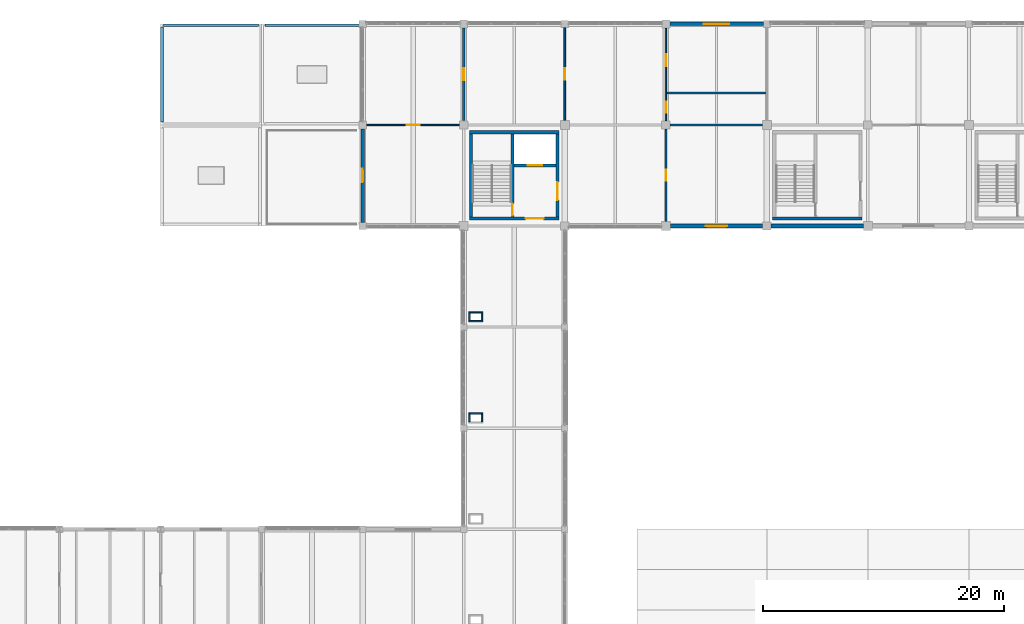
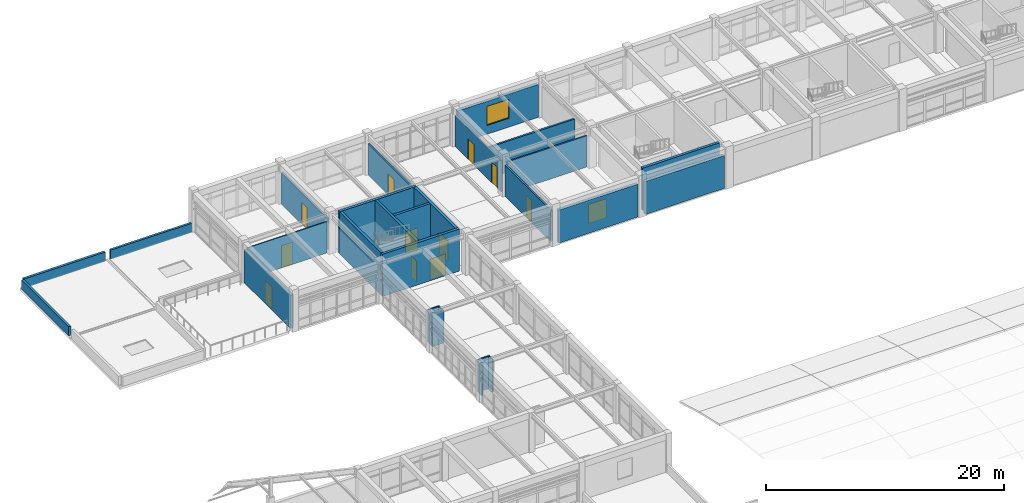
# One storey, part 34 of 40: 28 walls, 11 doors, 2 windows, 13 openings.
"""IFC4 building model written with IfcOpenShell, lengths in metres."""

from ifc_helpers import new_model, si_unit, direction, frame, frame_2d, origin, place, context, subcontext, project, spatial, rectangle, extrude, material, layer, layer_set, type_object, element, fill, save


model = new_model("IFC4")

# Units and contexts
model_context = context("Model", 3, precision=1e-05, world=origin(), true_north=direction((0.0, 1.0)))
body_context = subcontext(model_context, "Body", "Model", "MODEL_VIEW")
ifc_project = project(units=[si_unit("LENGTHUNIT", "METRE"), si_unit("AREAUNIT", "SQUARE_METRE"), si_unit("VOLUMEUNIT", "CUBIC_METRE"), si_unit("PLANEANGLEUNIT", "RADIAN"), si_unit("MASSUNIT", "GRAM", prefix="KILO")], contexts=[model_context])

# Site, building, storey
site_placement = place(None, origin())
site = spatial("IfcSite", under=ifc_project, at=site_placement, CompositionType="ELEMENT")
building_placement = place(site_placement, origin())
building = spatial("IfcBuilding", under=site, at=building_placement, Name="Porcellanite Civic Hall", CompositionType="ELEMENT")
storey_placement = place(building_placement, frame((0.0, 0.0, 19.080078125)))
storey = spatial("IfcBuildingStorey", under=building, at=storey_placement, Name="L04", CompositionType="ELEMENT", Elevation=19.080078125)

# Wall, opening, door
ifc_material_1 = material(Name="Concrete N40 (40 MPa)", Category="concrete")
ifc_layer_1 = layer(ifc_material_1, 0.239990234375)
ifc_layer_set_1 = layer_set([ifc_layer_1], Name="Concrete N40 (40 MPa)")
wall_type_1 = type_object("IfcWallType", Name="CW-SH240", PredefinedType="SHEAR", material=ifc_layer_set_1)
wall_1_placement = place(storey_placement, frame((54.43994140625, 101.5400390625, 0.0), z_axis=(0.0, 0.0, 1.0), x_axis=(0.0, 1.0, 0.0)))
wall_1 = element("IfcWall", 1, at=wall_1_placement, inside=storey, type_object=wall_type_1, Name="Core divider C3 L04", PredefinedType="SHEAR", context=body_context, shape_type="SweptSolid", body=[
    extrude(rectangle(XDim=6.919921875, YDim=0.239990234375, at=frame_2d((3.4599609375, 0.0))), origin(), (0.0, 0.0, 1.0), 4.31982421875),
])
opening_1_placement = place(wall_1_placement, frame((0.1201171875, 0.0, 0.0)))
opening_1 = element("IfcOpeningElement", 2, at=opening_1_placement, cuts=wall_1, Name="Opening FD-C3-L04-ST", PredefinedType="OPENING", context=body_context, shape_type="SweptSolid", body=[
    extrude(rectangle(XDim=1.0, YDim=2.14990234375, at=frame_2d((0.5, 1.074951171875))), frame((0.0, 0.1201171875, 0.0), z_axis=(0.0, -1.0, 0.0), x_axis=(1.0, 0.0, 0.0)), (0.0, 0.0, 1.0), 0.239990234375),
])
ifc_material_2 = material(Name="Fire-rated solid-core hardwood timber", Category="wood")
door_type_1 = type_object("IfcDoorType", Name="DR-FD100", OperationType="NOTDEFINED", PredefinedType="DOOR", material=ifc_material_2)
door_1_placement = place(opening_1_placement, origin())
door_1 = element("IfcDoor", 3, at=door_1_placement, inside=storey, type_object=door_type_1, Name="Fire stair door FD-C3-L04-ST", OperationType="SINGLE_SWING_RIGHT", OverallHeight=2.14990234375, OverallWidth=1.0, PredefinedType="DOOR", context=body_context, shape_type="SweptSolid", body=[
    extrude(rectangle(XDim=1.0, YDim=2.14990234375, at=frame_2d((0.5, 1.074951171875))), frame((0.0, 0.02490234375, 0.0), z_axis=(0.0, -1.0, 0.0), x_axis=(1.0, 0.0, 0.0)), (0.0, 0.0, 1.0), 0.050048828125),
])
fill(opening_1, door_1)

wall_2_placement = place(storey_placement, frame((54.56005859375, 105.820068359375, 0.0), z_axis=(0.0, 0.0, 1.0), x_axis=(1.0, 0.0, 0.0)))
wall_2 = element("IfcWall", 4, at=wall_2_placement, inside=storey, type_object=wall_type_1, Name="Lift shaft wall C3 L04", PredefinedType="SHEAR", context=body_context, shape_type="SweptSolid", body=[
    extrude(rectangle(XDim=3.5, YDim=0.239990234375, at=frame_2d((1.75, 0.0))), origin(), (0.0, 0.0, 1.0), 4.31982421875),
])
opening_2_placement = place(wall_2_placement, frame((1.14990234375, 0.0, 0.0)))
opening_2 = element("IfcOpeningElement", 5, at=opening_2_placement, cuts=wall_2, Name="Opening LD-01", PredefinedType="OPENING", context=body_context, shape_type="SweptSolid", body=[
    extrude(rectangle(XDim=1.199951171875, YDim=2.199951171875, at=frame_2d((0.60009765625, 1.10009765625))), frame((0.0, 0.1201171875, 0.0), z_axis=(0.0, -1.0, 0.0), x_axis=(1.0, 0.0, 0.0)), (0.0, 0.0, 1.0), 0.239990234375),
])
ifc_material_3 = material(Name="Brushed stainless steel 316", Category="steel")
door_type_2 = type_object("IfcDoorType", Name="DR-LD120", OperationType="DOUBLE_DOOR_SLIDING", PredefinedType="DOOR", material=ifc_material_3)
door_2_placement = place(opening_2_placement, origin())
door_2 = element("IfcDoor", 6, at=door_2_placement, inside=storey, type_object=door_type_2, Name="Lift landing sliding door LD-01 L04", OperationType="DOUBLE_DOOR_SLIDING", OverallHeight=2.199951171875, OverallWidth=1.199951171875, PredefinedType="DOOR", context=body_context, shape_type="SweptSolid", body=[
    extrude(rectangle(XDim=1.199951171875, YDim=2.199951171875, at=frame_2d((0.60009765625, 1.10009765625))), frame((0.0, 0.02490234375, 0.0), z_axis=(0.0, -1.0, 0.0), x_axis=(1.0, 0.0, 0.0)), (0.0, 0.0, 1.0), 0.050048828125),
])
fill(opening_2, door_2)

ifc_material_4 = material(Name="Concrete N40 (40 MPa)", Category="concrete")
ifc_layer_2 = layer(ifc_material_4, 0.260009765625)
ifc_layer_set_2 = layer_set([ifc_layer_2], Name="Concrete N40 (40 MPa)")
wall_type_2 = type_object("IfcWallType", Name="CW-SH260", PredefinedType="SHEAR", material=ifc_layer_set_2)
wall_3_placement = place(storey_placement, frame((58.320068359375, 101.409912109375, 0.0), z_axis=(0.0, 0.0, 1.0), x_axis=(-1.0, 0.0, 0.0)))
wall_3 = element("IfcWall", 7, at=wall_3_placement, inside=storey, type_object=wall_type_2, Name="Core wall C3 L04 S", PredefinedType="SHEAR", context=body_context, shape_type="SweptSolid", body=[
    extrude(rectangle(XDim=7.440185546875, YDim=0.260009765625, at=frame_2d((3.72021484375, 0.0))), origin(), (0.0, 0.0, 1.0), 4.31982421875),
])
opening_3_placement = place(wall_3_placement, frame((1.280029296875, 0.0, 0.0)))
opening_3 = element("IfcOpeningElement", 8, at=opening_3_placement, cuts=wall_3, Name="Opening FD-C3-L04-LS", PredefinedType="OPENING", context=body_context, shape_type="SweptSolid", body=[
    extrude(rectangle(XDim=1.5, YDim=2.14990234375, at=frame_2d((0.75, 1.074951171875))), frame((0.0, 0.1298828125, 0.0), z_axis=(0.0, -1.0, 0.0), x_axis=(1.0, 0.0, 0.0)), (0.0, 0.0, 1.0), 0.260009765625),
])
ifc_material_5 = material(Name="Fire-rated steel and Georgian wired glass", Category="steel")
door_type_3 = type_object("IfcDoorType", Name="DR-FD150", OperationType="DOUBLE_DOOR_SINGLE_SWING", PredefinedType="DOOR", material=ifc_material_5)
door_3_placement = place(opening_3_placement, origin())
door_3 = element("IfcDoor", 9, at=door_3_placement, inside=storey, type_object=door_type_3, Name="Fire lobby south door FD-C3-L04-LS", OperationType="DOUBLE_DOOR_SINGLE_SWING", OverallHeight=2.14990234375, OverallWidth=1.5, PredefinedType="DOOR", context=body_context, shape_type="SweptSolid", body=[
    extrude(rectangle(XDim=1.5, YDim=2.14990234375, at=frame_2d((0.75, 1.074951171875))), frame((0.0, 0.02490234375, 0.0), z_axis=(0.0, -1.0, 0.0), x_axis=(1.0, 0.0, 0.0)), (0.0, 0.0, 1.0), 0.050048828125),
])
fill(opening_3, door_3)

# Walls
wall_4_placement = place(storey_placement, frame((51.010009765625, 101.5400390625, 0.0), z_axis=(0.0, 0.0, 1.0), x_axis=(0.0, 1.0, 0.0)))
element("IfcWall", 10, at=wall_4_placement, inside=storey, type_object=wall_type_2, Name="Core wall C3 L04 W", PredefinedType="SHEAR", context=body_context, shape_type="SweptSolid", body=[
    extrude(rectangle(XDim=6.919921875, YDim=0.260009765625, at=frame_2d((3.4599609375, 0.0))), origin(), (0.0, 0.0, 1.0), 4.31982421875),
])
wall_5_placement = place(storey_placement, frame((50.8798828125, 108.590087890625, 0.0), z_axis=(0.0, 0.0, 1.0), x_axis=(1.0, 0.0, 0.0)))
element("IfcWall", 11, at=wall_5_placement, inside=storey, type_object=wall_type_2, Name="Core wall C3 L04 N", PredefinedType="SHEAR", context=body_context, shape_type="SweptSolid", body=[
    extrude(rectangle(XDim=7.440185546875, YDim=0.260009765625, at=frame_2d((3.72021484375, 0.0))), origin(), (0.0, 0.0, 1.0), 4.31982421875),
])

# Wall, opening, door
wall_6_placement = place(storey_placement, frame((58.18994140625, 108.4599609375, 0.0), z_axis=(0.0, 0.0, 1.0), x_axis=(0.0, -1.0, 0.0)))
wall_6 = element("IfcWall", 12, at=wall_6_placement, inside=storey, type_object=wall_type_2, Name="Core wall C3 L04 E", PredefinedType="SHEAR", context=body_context, shape_type="SweptSolid", body=[
    extrude(rectangle(XDim=6.919921875, YDim=0.260009765625, at=frame_2d((3.4599609375, 0.0))), origin(), (0.0, 0.0, 1.0), 4.31982421875),
])
opening_4_placement = place(wall_6_placement, frame((4.010009765625, 0.0, 0.0)))
opening_4 = element("IfcOpeningElement", 13, at=opening_4_placement, cuts=wall_6, Name="Opening FD-C3-L04-LB", PredefinedType="OPENING", context=body_context, shape_type="SweptSolid", body=[
    extrude(rectangle(XDim=1.5, YDim=2.14990234375, at=frame_2d((0.75, 1.074951171875))), frame((0.0, 0.1298828125, 0.0), z_axis=(0.0, -1.0, 0.0), x_axis=(1.0, 0.0, 0.0)), (0.0, 0.0, 1.0), 0.260009765625),
])
door_4_placement = place(opening_4_placement, origin())
door_4 = element("IfcDoor", 14, at=door_4_placement, inside=storey, type_object=door_type_3, Name="Fire lobby double door FD-C3-L04-LB", OperationType="DOUBLE_DOOR_SINGLE_SWING", OverallHeight=2.14990234375, OverallWidth=1.5, PredefinedType="DOOR", context=body_context, shape_type="SweptSolid", body=[
    extrude(rectangle(XDim=1.5, YDim=2.14990234375, at=frame_2d((0.75, 1.074951171875))), frame((0.0, 0.02490234375, 0.0), z_axis=(0.0, -1.0, 0.0), x_axis=(1.0, 0.0, 0.0)), (0.0, 0.0, 1.0), 0.050048828125),
])
fill(opening_4, door_4)

# Wall
wall_7_placement = place(storey_placement, frame((83.52001953125, 101.409912109375, 0.0), z_axis=(0.0, 0.0, 1.0), x_axis=(-1.0, 0.0, 0.0)))
element("IfcWall", 15, at=wall_7_placement, inside=storey, type_object=wall_type_2, Name="Core wall S9 L04 S", PredefinedType="SHEAR", context=body_context, shape_type="SweptSolid", body=[
    extrude(rectangle(XDim=7.43994140625, YDim=0.260009765625, at=frame_2d((3.719970703125, 0.0))), origin(), (0.0, 0.0, 1.0), 4.31982421875),
])

# Wall, opening, door
ifc_material_6 = material(Name="Precast concrete N40 (40 MPa)", Category="concrete")
ifc_layer_3 = layer(ifc_material_6, 0.300048828125)
ifc_layer_set_3 = layer_set([ifc_layer_3], Name="Precast concrete N40 (40 MPa)")
wall_type_3 = type_object("IfcWallType", Name="EW-ADM300", PredefinedType="SOLIDWALL", material=ifc_layer_set_3)
wall_8_placement = place(storey_placement, frame((42.0, 101.10107421875, 0.0), z_axis=(0.0, 0.0, 1.0), x_axis=(0.0, 1.0, 0.0)))
wall_8 = element("IfcWall", 16, at=wall_8_placement, inside=storey, type_object=wall_type_3, Name="Exterior wall L04 W 6-13", PredefinedType="SOLIDWALL", context=body_context, shape_type="SweptSolid", body=[
    extrude(rectangle(XDim=7.77294921875, YDim=0.300048828125, at=frame_2d((3.886474609375, 0.0))), origin(), (0.0, 0.0, 1.0), 3.369873046875),
])
opening_5_placement = place(wall_8_placement, frame((3.325927734375, 0.0, 0.0)))
opening_5 = element("IfcOpeningElement", 17, at=opening_5_placement, cuts=wall_8, Name="Opening TD-14", PredefinedType="OPENING", context=body_context, shape_type="SweptSolid", body=[
    extrude(rectangle(XDim=1.1201171875, YDim=2.199951171875, at=frame_2d((0.56005859375, 1.10009765625))), frame((0.0, 0.14990234375, 0.0), z_axis=(0.0, -1.0, 0.0), x_axis=(1.0, 0.0, 0.0)), (0.0, 0.0, 1.0), 0.300048828125),
])
ifc_material_7 = material(Name="Anodised aluminium and laminated safety glass", Category="aluminium")
door_type_4 = type_object("IfcDoorType", Name="DR-TER112", OperationType="NOTDEFINED", PredefinedType="DOOR", material=ifc_material_7)
door_5_placement = place(opening_5_placement, origin())
door_5 = element("IfcDoor", 18, at=door_5_placement, inside=storey, type_object=door_type_4, Name="Civic terrace door TD-14", OperationType="SINGLE_SWING_LEFT", OverallHeight=2.199951171875, OverallWidth=1.1201171875, PredefinedType="DOOR", context=body_context, shape_type="SweptSolid", body=[
    extrude(rectangle(XDim=1.1201171875, YDim=2.199951171875, at=frame_2d((0.56005859375, 1.10009765625))), frame((0.0, 0.02490234375, 0.0), z_axis=(0.0, -1.0, 0.0), x_axis=(1.0, 0.0, 0.0)), (0.0, 0.0, 1.0), 0.050048828125),
])
fill(opening_5, door_5)

# Wall, opening, window
wall_9_placement = place(storey_placement, frame((75.2490234375, 100.800048828125, 0.0), z_axis=(0.0, 0.0, 1.0), x_axis=(-1.0, 0.0, 0.0)))
wall_9 = element("IfcWall", 19, at=wall_9_placement, inside=storey, type_object=wall_type_3, Name="Exterior wall L04 S 9-13", PredefinedType="SOLIDWALL", context=body_context, shape_type="SweptSolid", body=[
    extrude(rectangle(XDim=7.673095703125, YDim=0.300048828125, at=frame_2d((3.83642578125, 0.0))), origin(), (0.0, 0.0, 1.0), 3.369873046875),
])
opening_6_placement = place(wall_9_placement, frame((2.9619140625, 0.0, 0.89990234375)))
opening_6 = element("IfcOpeningElement", 20, at=opening_6_placement, cuts=wall_9, Name="Opening W31", PredefinedType="OPENING", context=body_context, shape_type="SweptSolid", body=[
    extrude(rectangle(XDim=1.75, YDim=1.949951171875, at=frame_2d((0.875, 0.97509765625))), frame((0.0, 0.14990234375, 0.0), z_axis=(0.0, -1.0, 0.0), x_axis=(1.0, 0.0, 0.0)), (0.0, 0.0, 1.0), 0.300048828125),
])
ifc_material_8 = material(Name="Cyclone laminated low-E glazing in anodised aluminium frame", Category="aluminium")
window_type_1 = type_object("IfcWindowType", Name="WN-31", PartitioningType="DOUBLE_PANEL_VERTICAL", PredefinedType="WINDOW", material=ifc_material_8)
window_1_placement = place(opening_6_placement, origin())
window_1 = element("IfcWindow", 21, at=window_1_placement, inside=storey, type_object=window_type_1, Name="Window W31 L04 S 9-13", OverallHeight=1.949951171875, OverallWidth=1.75, PartitioningType="SINGLE_PANEL", PredefinedType="WINDOW", context=body_context, shape_type="SweptSolid", body=[
    extrude(rectangle(XDim=1.75, YDim=1.949951171875, at=frame_2d((0.875, 0.97509765625))), frame((0.0, 0.030029296875, 0.0), z_axis=(0.0, -1.0, 0.0), x_axis=(1.0, 0.0, 0.0)), (0.0, 0.0, 1.0), 0.06005859375),
])
fill(opening_6, window_1)

wall_10_placement = place(storey_placement, frame((67.52587890625, 117.60009765625, 0.0), z_axis=(0.0, 0.0, 1.0), x_axis=(1.0, 0.0, 0.0)))
wall_10 = element("IfcWall", 22, at=wall_10_placement, inside=storey, type_object=wall_type_3, Name="Exterior wall L04 N 9-14", PredefinedType="SOLIDWALL", context=body_context, shape_type="SweptSolid", body=[
    extrude(rectangle(XDim=7.773193359375, YDim=0.300048828125, at=frame_2d((3.88671875, 0.0))), origin(), (0.0, 0.0, 1.0), 3.369873046875),
])
opening_7_placement = place(wall_10_placement, frame((2.81103515625, 0.0, 0.89990234375)))
opening_7 = element("IfcOpeningElement", 23, at=opening_7_placement, cuts=wall_10, Name="Opening W32", PredefinedType="OPENING", context=body_context, shape_type="SweptSolid", body=[
    extrude(rectangle(XDim=2.14990234375, YDim=1.949951171875, at=frame_2d((1.074951171875, 0.97509765625))), frame((0.0, 0.14990234375, 0.0), z_axis=(0.0, -1.0, 0.0), x_axis=(1.0, 0.0, 0.0)), (0.0, 0.0, 1.0), 0.300048828125),
])
ifc_material_9 = material(Name="Cyclone laminated low-E glazing in anodised aluminium frame", Category="aluminium")
window_type_2 = type_object("IfcWindowType", Name="WN-32", PartitioningType="DOUBLE_PANEL_VERTICAL", PredefinedType="WINDOW", material=ifc_material_9)
window_2_placement = place(opening_7_placement, origin())
window_2 = element("IfcWindow", 24, at=window_2_placement, inside=storey, type_object=window_type_2, Name="Window W32 L04 N 9-14", OverallHeight=1.949951171875, OverallWidth=2.14990234375, PartitioningType="SINGLE_PANEL", PredefinedType="WINDOW", context=body_context, shape_type="SweptSolid", body=[
    extrude(rectangle(XDim=2.14990234375, YDim=1.949951171875, at=frame_2d((1.074951171875, 0.97509765625))), frame((0.0, 0.030029296875, 0.0), z_axis=(0.0, -1.0, 0.0), x_axis=(1.0, 0.0, 0.0)), (0.0, 0.0, 1.0), 0.06005859375),
])
fill(opening_7, window_2)

# Walls
wall_11_placement = place(storey_placement, frame((83.6240234375, 100.800048828125, 0.0), z_axis=(0.0, 0.0, 1.0), x_axis=(-1.0, 0.0, 0.0)))
element("IfcWall", 25, at=wall_11_placement, inside=storey, type_object=wall_type_3, Name="Exterior wall L04 S 10-13", PredefinedType="SOLIDWALL", context=body_context, shape_type="SweptSolid", body=[
    extrude(rectangle(XDim=7.673095703125, YDim=0.300048828125, at=frame_2d((3.83642578125, 0.0))), origin(), (0.0, 0.0, 1.0), 3.369873046875),
])
ifc_material_10 = material(Name="Fire-rated shaftwall plasterboard on steel studs", Category="steel")
ifc_layer_4 = layer(ifc_material_10, 0.117919921875)
ifc_layer_set_4 = layer_set([ifc_layer_4], Name="Fire-rated shaftwall plasterboard on steel studs")
wall_type_4 = type_object("IfcWallType", Name="IW-FR118", PredefinedType="PARTITIONING", material=ifc_layer_set_4)
wall_12_placement = place(storey_placement, frame((50.83203125, 85.208984375, 0.0), z_axis=(0.0, 0.0, 1.0), x_axis=(1.0, 0.0, 0.0)))
element("IfcWall", 26, at=wall_12_placement, inside=storey, type_object=wall_type_4, Name="Fire riser shaftwall N L04 6-10", PredefinedType="PARTITIONING", context=body_context, shape_type="SweptSolid", body=[
    extrude(rectangle(XDim=1.135986328125, YDim=0.117919921875, at=frame_2d((0.56787109375, 0.0))), origin(), (0.0, 0.0, 1.0), 3.349853515625),
])
for number, where, z_axis, x_axis, name in (
    (27, (50.89111328125, 84.550048828125, 0.0), (0.0, 0.0, 1.0), (0.0, 1.0, 0.0), "Fire riser shaftwall W L04 6-10"),
    (28, (51.908935546875, 84.550048828125, 0.0), (0.0, 0.0, 1.0), (0.0, 1.0, 0.0), "Fire riser shaftwall E L04 6-10"),
):
    element("IfcWall", number, at=place(storey_placement, frame(where, z_axis=z_axis, x_axis=x_axis)), inside=storey, type_object=wall_type_4, Name=name, PredefinedType="PARTITIONING", context=body_context, shape_type="SweptSolid", body=[
        extrude(rectangle(XDim=0.599853515625, YDim=0.117919921875, at=frame_2d((0.2998046875, 0.0))), origin(), (0.0, 0.0, 1.0), 3.349853515625),
    ])
for number, where, z_axis, x_axis, name in (
    (29, (50.83203125, 92.89111328125, 0.0), (0.0, 0.0, 1.0), (1.0, 0.0, 0.0), "Fire riser shaftwall S L04 6-11"),
    (30, (50.83203125, 93.60888671875, 0.0), (0.0, 0.0, 1.0), (1.0, 0.0, 0.0), "Fire riser shaftwall N L04 6-11"),
):
    element("IfcWall", number, at=place(storey_placement, frame(where, z_axis=z_axis, x_axis=x_axis)), inside=storey, type_object=wall_type_4, Name=name, PredefinedType="PARTITIONING", context=body_context, shape_type="SweptSolid", body=[
        extrude(rectangle(XDim=1.135986328125, YDim=0.117919921875, at=frame_2d((0.56787109375, 0.0))), origin(), (0.0, 0.0, 1.0), 3.349853515625),
    ])
for number, where, z_axis, x_axis, name in (
    (31, (50.89111328125, 92.949951171875, 0.0), (0.0, 0.0, 1.0), (0.0, 1.0, 0.0), "Fire riser shaftwall W L04 6-11"),
    (32, (51.908935546875, 92.949951171875, 0.0), (0.0, 0.0, 1.0), (0.0, 1.0, 0.0), "Fire riser shaftwall E L04 6-11"),
):
    element("IfcWall", number, at=place(storey_placement, frame(where, z_axis=z_axis, x_axis=x_axis)), inside=storey, type_object=wall_type_4, Name=name, PredefinedType="PARTITIONING", context=body_context, shape_type="SweptSolid", body=[
        extrude(rectangle(XDim=0.60009765625, YDim=0.117919921875, at=frame_2d((0.300048828125, 0.0))), origin(), (0.0, 0.0, 1.0), 3.349853515625),
    ])

# Wall, opening, door
ifc_material_11 = material(Name="Insulated acoustic plasterboard on light-gauge steel studs", Category="steel")
ifc_layer_5 = layer(ifc_material_11, 0.114990234375)
ifc_layer_set_5 = layer_set([ifc_layer_5], Name="Insulated acoustic plasterboard on light-gauge steel studs")
wall_type_5 = type_object("IfcWallType", Name="IW-PT115", PredefinedType="PARTITIONING", material=ifc_layer_set_5)
wall_13_placement = place(storey_placement, frame((42.326904296875, 109.199951171875, 0.0), z_axis=(0.0, 0.0, 1.0), x_axis=(1.0, 0.0, 0.0)))
wall_13 = element("IfcWall", 33, at=wall_13_placement, inside=storey, type_object=wall_type_5, Name="Partition L04 H 6-13", PredefinedType="PARTITIONING", context=body_context, shape_type="SweptSolid", body=[
    extrude(rectangle(XDim=7.72119140625, YDim=0.114990234375, at=frame_2d((3.860595703125, 0.0))), origin(), (0.0, 0.0, 1.0), 3.18994140625),
])
opening_8_placement = place(wall_13_placement, frame((3.321044921875, 0.0, 0.0)))
opening_8 = element("IfcOpeningElement", 34, at=opening_8_placement, cuts=wall_13, Name="Opening D-L04-481", PredefinedType="OPENING", context=body_context, shape_type="SweptSolid", body=[
    extrude(rectangle(XDim=1.080078125, YDim=2.25, at=frame_2d((0.5400390625, 1.125))), frame((0.0, 0.0576171875, 0.0), z_axis=(0.0, -1.0, 0.0), x_axis=(1.0, 0.0, 0.0)), (0.0, 0.0, 1.0), 0.114990234375),
])
ifc_material_12 = material(Name="Solid-core spotted-gum timber", Category="wood")
door_type_5 = type_object("IfcDoorType", Name="DR-RM108", OperationType="NOTDEFINED", PredefinedType="DOOR", material=ifc_material_12)
door_6_placement = place(opening_8_placement, origin())
door_6 = element("IfcDoor", 35, at=door_6_placement, inside=storey, type_object=door_type_5, Name="Interior door D-L04-481", OperationType="SINGLE_SWING_LEFT", OverallHeight=2.25, OverallWidth=1.080078125, PredefinedType="DOOR", context=body_context, shape_type="SweptSolid", body=[
    extrude(rectangle(XDim=1.080078125, YDim=2.25, at=frame_2d((0.5400390625, 1.125))), frame((0.0, 0.02490234375, 0.0), z_axis=(0.0, -1.0, 0.0), x_axis=(1.0, 0.0, 0.0)), (0.0, 0.0, 1.0), 0.050048828125),
])
fill(opening_8, door_6)

# Wall, openings, doors
ifc_material_13 = material(Name="Insulated acoustic plasterboard on light-gauge steel studs", Category="steel")
ifc_layer_6 = layer(ifc_material_13, 0.125)
ifc_layer_set_6 = layer_set([ifc_layer_6], Name="Insulated acoustic plasterboard on light-gauge steel studs")
wall_type_6 = type_object("IfcWallType", Name="IW-PT125", PredefinedType="PARTITIONING", material=ifc_layer_set_6)
wall_14_placement = place(storey_placement, frame((67.199951171875, 109.552001953125, 0.0), z_axis=(0.0, 0.0, 1.0), x_axis=(0.0, 1.0, 0.0)))
wall_14 = element("IfcWall", 36, at=wall_14_placement, inside=storey, type_object=wall_type_6, Name="Partition L04 V 8-14", PredefinedType="PARTITIONING", context=body_context, shape_type="SweptSolid", body=[
    extrude(rectangle(XDim=7.720947265625, YDim=0.125, at=frame_2d((3.8603515625, 0.0))), origin(), (0.0, 0.0, 1.0), 3.18994140625),
])
opening_9_placement = place(wall_14_placement, frame((0.653076171875, 0.0, 0.0)))
opening_9 = element("IfcOpeningElement", 37, at=opening_9_placement, cuts=wall_14, Name="Opening D-L04-461", PredefinedType="OPENING", context=body_context, shape_type="SweptSolid", body=[
    extrude(rectangle(XDim=0.919921875, YDim=2.10009765625, at=frame_2d((0.4599609375, 1.050048828125))), frame((0.0, 0.0625, 0.0), z_axis=(0.0, -1.0, 0.0), x_axis=(1.0, 0.0, 0.0)), (0.0, 0.0, 1.0), 0.125),
])
opening_10_placement = place(wall_14_placement, frame((4.54296875, 0.0, 0.0)))
opening_10 = element("IfcOpeningElement", 38, at=opening_10_placement, cuts=wall_14, Name="Opening D-L04-462", PredefinedType="OPENING", context=body_context, shape_type="SweptSolid", body=[
    extrude(rectangle(XDim=0.97998046875, YDim=2.080078125, at=frame_2d((0.489990234375, 1.0400390625))), frame((0.0, 0.0625, 0.0), z_axis=(0.0, -1.0, 0.0), x_axis=(1.0, 0.0, 0.0)), (0.0, 0.0, 1.0), 0.125),
])
ifc_material_14 = material(Name="Moisture-resistant laminate solid-core timber", Category="wood")
door_type_6 = type_object("IfcDoorType", Name="DR-WC092", OperationType="NOTDEFINED", PredefinedType="DOOR", material=ifc_material_14)
door_7_placement = place(opening_9_placement, origin())
door_7 = element("IfcDoor", 39, at=door_7_placement, inside=storey, type_object=door_type_6, Name="Interior door D-L04-461", OperationType="SINGLE_SWING_LEFT", OverallHeight=2.10009765625, OverallWidth=0.919921875, PredefinedType="DOOR", context=body_context, shape_type="SweptSolid", body=[
    extrude(rectangle(XDim=0.919921875, YDim=2.10009765625, at=frame_2d((0.4599609375, 1.050048828125))), frame((0.0, 0.02490234375, 0.0), z_axis=(0.0, -1.0, 0.0), x_axis=(1.0, 0.0, 0.0)), (0.0, 0.0, 1.0), 0.050048828125),
])
fill(opening_9, door_7)
ifc_material_15 = material(Name="Moisture-resistant laminate solid-core timber", Category="wood")
door_type_7 = type_object("IfcDoorType", Name="DR-WC098", OperationType="NOTDEFINED", PredefinedType="DOOR", material=ifc_material_15)
door_8_placement = place(opening_10_placement, origin())
door_8 = element("IfcDoor", 40, at=door_8_placement, inside=storey, type_object=door_type_7, Name="Interior door D-L04-462", OperationType="SINGLE_SWING_RIGHT", OverallHeight=2.080078125, OverallWidth=0.97998046875, PredefinedType="DOOR", context=body_context, shape_type="SweptSolid", body=[
    extrude(rectangle(XDim=0.97998046875, YDim=2.080078125, at=frame_2d((0.489990234375, 1.0400390625))), frame((0.0, 0.02490234375, 0.0), z_axis=(0.0, -1.0, 0.0), x_axis=(1.0, 0.0, 0.0)), (0.0, 0.0, 1.0), 0.050048828125),
])
fill(opening_10, door_8)

# Wall
ifc_material_16 = material(Name="Insulated acoustic plasterboard on light-gauge steel studs", Category="steel")
ifc_layer_7 = layer(ifc_material_16, 0.14501953125)
ifc_layer_set_7 = layer_set([ifc_layer_7], Name="Insulated acoustic plasterboard on light-gauge steel studs")
wall_type_7 = type_object("IfcWallType", Name="IW-PT145", PredefinedType="PARTITIONING", material=ifc_layer_set_7)
wall_15_placement = place(storey_placement, frame((67.552001953125, 109.199951171875, 0.0), z_axis=(0.0, 0.0, 1.0), x_axis=(1.0, 0.0, 0.0)))
element("IfcWall", 41, at=wall_15_placement, inside=storey, type_object=wall_type_7, Name="Partition L04 H 9-13", PredefinedType="PARTITIONING", context=body_context, shape_type="SweptSolid", body=[
    extrude(rectangle(XDim=7.6708984375, YDim=0.14501953125, at=frame_2d((3.83544921875, 0.0))), origin(), (0.0, 0.0, 1.0), 3.18994140625),
])

# Wall, opening, door
ifc_material_17 = material(Name="Insulated acoustic plasterboard on light-gauge steel studs", Category="steel")
ifc_layer_8 = layer(ifc_material_17, 0.155029296875)
ifc_layer_set_8 = layer_set([ifc_layer_8], Name="Insulated acoustic plasterboard on light-gauge steel studs")
wall_type_8 = type_object("IfcWallType", Name="IW-PT155", PredefinedType="PARTITIONING", material=ifc_layer_set_8)
wall_16_placement = place(storey_placement, frame((58.800048828125, 109.576904296875, 0.0), z_axis=(0.0, 0.0, 1.0), x_axis=(0.0, 1.0, 0.0)))
wall_16 = element("IfcWall", 42, at=wall_16_placement, inside=storey, type_object=wall_type_8, Name="Partition L04 V 7-14", PredefinedType="PARTITIONING", context=body_context, shape_type="SweptSolid", body=[
    extrude(rectangle(XDim=7.72119140625, YDim=0.155029296875, at=frame_2d((3.860595703125, 0.0))), origin(), (0.0, 0.0, 1.0), 3.18994140625),
])
opening_11_placement = place(wall_16_placement, frame((3.39111328125, 0.0, 0.0)))
opening_11 = element("IfcOpeningElement", 43, at=opening_11_placement, cuts=wall_16, Name="Opening D-L04-475", PredefinedType="OPENING", context=body_context, shape_type="SweptSolid", body=[
    extrude(rectangle(XDim=0.93994140625, YDim=2.14990234375, at=frame_2d((0.469970703125, 1.074951171875))), frame((0.0, 0.07763671875, 0.0), z_axis=(0.0, -1.0, 0.0), x_axis=(1.0, 0.0, 0.0)), (0.0, 0.0, 1.0), 0.155029296875),
])
ifc_material_18 = material(Name="Solid-core spotted-gum timber", Category="wood")
door_type_8 = type_object("IfcDoorType", Name="DR-RM094", OperationType="NOTDEFINED", PredefinedType="DOOR", material=ifc_material_18)
door_9_placement = place(opening_11_placement, origin())
door_9 = element("IfcDoor", 44, at=door_9_placement, inside=storey, type_object=door_type_8, Name="Interior door D-L04-475", OperationType="SINGLE_SWING_LEFT", OverallHeight=2.14990234375, OverallWidth=0.93994140625, PredefinedType="DOOR", context=body_context, shape_type="SweptSolid", body=[
    extrude(rectangle(XDim=0.93994140625, YDim=2.14990234375, at=frame_2d((0.469970703125, 1.074951171875))), frame((0.0, 0.02490234375, 0.0), z_axis=(0.0, -1.0, 0.0), x_axis=(1.0, 0.0, 0.0)), (0.0, 0.0, 1.0), 0.050048828125),
])
fill(opening_11, door_9)

ifc_material_19 = material(Name="Insulated acoustic plasterboard on light-gauge steel studs", Category="steel")
ifc_layer_9 = layer(ifc_material_19, 0.175048828125)
ifc_layer_set_9 = layer_set([ifc_layer_9], Name="Insulated acoustic plasterboard on light-gauge steel studs")
wall_type_9 = type_object("IfcWallType", Name="IW-PT175", PredefinedType="PARTITIONING", material=ifc_layer_set_9)
wall_17_placement = place(storey_placement, frame((67.199951171875, 101.177001953125, 0.0), z_axis=(0.0, 0.0, 1.0), x_axis=(0.0, 1.0, 0.0)))
wall_17 = element("IfcWall", 45, at=wall_17_placement, inside=storey, type_object=wall_type_9, Name="Partition L04 V 8-13", PredefinedType="PARTITIONING", context=body_context, shape_type="SweptSolid", body=[
    extrude(rectangle(XDim=7.6708984375, YDim=0.175048828125, at=frame_2d((3.83544921875, 0.0))), origin(), (0.0, 0.0, 1.0), 3.18994140625),
])
opening_12_placement = place(wall_17_placement, frame((3.3759765625, 0.0, 0.0)))
opening_12 = element("IfcOpeningElement", 46, at=opening_12_placement, cuts=wall_17, Name="Opening D-L04-476", PredefinedType="OPENING", context=body_context, shape_type="SweptSolid", body=[
    extrude(rectangle(XDim=0.919921875, YDim=2.14990234375, at=frame_2d((0.4599609375, 1.074951171875))), frame((0.0, 0.08740234375, 0.0), z_axis=(0.0, -1.0, 0.0), x_axis=(1.0, 0.0, 0.0)), (0.0, 0.0, 1.0), 0.175048828125),
])
ifc_material_20 = material(Name="Solid-core spotted-gum timber", Category="wood")
door_type_9 = type_object("IfcDoorType", Name="DR-RM092", OperationType="NOTDEFINED", PredefinedType="DOOR", material=ifc_material_20)
door_10_placement = place(opening_12_placement, origin())
door_10 = element("IfcDoor", 47, at=door_10_placement, inside=storey, type_object=door_type_9, Name="Interior door D-L04-476", OperationType="SINGLE_SWING_RIGHT", OverallHeight=2.14990234375, OverallWidth=0.919921875, PredefinedType="DOOR", context=body_context, shape_type="SweptSolid", body=[
    extrude(rectangle(XDim=0.919921875, YDim=2.14990234375, at=frame_2d((0.4599609375, 1.074951171875))), frame((0.0, 0.02490234375, 0.0), z_axis=(0.0, -1.0, 0.0), x_axis=(1.0, 0.0, 0.0)), (0.0, 0.0, 1.0), 0.050048828125),
])
fill(opening_12, door_10)

# Wall
wall_18_placement = place(storey_placement, frame((67.264404296875, 111.85009765625, 0.0), z_axis=(0.0, 0.0, 1.0), x_axis=(1.0, 0.0, 0.0)))
element("IfcWall", 48, at=wall_18_placement, inside=storey, type_object=wall_type_9, Name="Partition L04 sub 9-14", PredefinedType="PARTITIONING", context=body_context, shape_type="SweptSolid", body=[
    extrude(rectangle(XDim=8.2861328125, YDim=0.175048828125, at=frame_2d((4.14306640625, 0.0))), origin(), (0.0, 0.0, 1.0), 3.18994140625),
])

# Wall, opening, door
ifc_material_21 = material(Name="Insulated acoustic plasterboard on light-gauge steel studs", Category="steel")
ifc_layer_10 = layer(ifc_material_21, 0.18505859375)
ifc_layer_set_10 = layer_set([ifc_layer_10], Name="Insulated acoustic plasterboard on light-gauge steel studs")
wall_type_10 = type_object("IfcWallType", Name="IW-PT185", PredefinedType="PARTITIONING", material=ifc_layer_set_10)
wall_19_placement = place(storey_placement, frame((50.39990234375, 109.552001953125, 0.0), z_axis=(0.0, 0.0, 1.0), x_axis=(0.0, 1.0, 0.0)))
wall_19 = element("IfcWall", 49, at=wall_19_placement, inside=storey, type_object=wall_type_10, Name="Partition L04 V 6-14", PredefinedType="PARTITIONING", context=body_context, shape_type="SweptSolid", body=[
    extrude(rectangle(XDim=7.720947265625, YDim=0.18505859375, at=frame_2d((3.8603515625, 0.0))), origin(), (0.0, 0.0, 1.0), 3.18994140625),
])
opening_13_placement = place(wall_19_placement, frame((3.361083984375, 0.0, 0.0)))
opening_13 = element("IfcOpeningElement", 50, at=opening_13_placement, cuts=wall_19, Name="Opening D-L04-485", PredefinedType="OPENING", context=body_context, shape_type="SweptSolid", body=[
    extrude(rectangle(XDim=1.0, YDim=2.199951171875, at=frame_2d((0.5, 1.10009765625))), frame((0.0, 0.092529296875, 0.0), z_axis=(0.0, -1.0, 0.0), x_axis=(1.0, 0.0, 0.0)), (0.0, 0.0, 1.0), 0.18505859375),
])
ifc_material_22 = material(Name="Solid-core spotted-gum timber", Category="wood")
door_type_10 = type_object("IfcDoorType", Name="DR-RM100", OperationType="NOTDEFINED", PredefinedType="DOOR", material=ifc_material_22)
door_11_placement = place(opening_13_placement, origin())
door_11 = element("IfcDoor", 51, at=door_11_placement, inside=storey, type_object=door_type_10, Name="Interior door D-L04-485", OperationType="SINGLE_SWING_LEFT", OverallHeight=2.199951171875, OverallWidth=1.0, PredefinedType="DOOR", context=body_context, shape_type="SweptSolid", body=[
    extrude(rectangle(XDim=1.0, YDim=2.199951171875, at=frame_2d((0.5, 1.10009765625))), frame((0.0, 0.02490234375, 0.0), z_axis=(0.0, -1.0, 0.0), x_axis=(1.0, 0.0, 0.0)), (0.0, 0.0, 1.0), 0.050048828125),
])
fill(opening_13, door_11)

# Walls
ifc_material_23 = material(Name="Precast concrete N40 (40 MPa)", Category="concrete")
ifc_layer_11 = layer(ifc_material_23, 0.22998046875)
ifc_layer_set_11 = layer_set([ifc_layer_11], Name="Precast concrete N40 (40 MPa)")
wall_type_11 = type_object("IfcWallType", Name="WP-PAR2", PredefinedType="PARAPET", material=ifc_layer_set_11)
for number, where, z_axis, x_axis, name in (
    (52, (25.31494140625, 109.4599609375, 0.0), (0.0, 0.0, 1.0), (0.0, 1.0, 0.0), "Roof parapet L04 W 4-14"),
    (53, (25.4599609375, 117.485107421875, 0.0), (0.0, 0.0, 1.0), (1.0, 0.0, 0.0), "Roof parapet L04 N 4-14"),
):
    element("IfcWall", number, at=place(storey_placement, frame(where, z_axis=z_axis, x_axis=x_axis)), inside=storey, type_object=wall_type_11, Name=name, PredefinedType="PARAPET", context=body_context, shape_type="SweptSolid", body=[
        extrude(rectangle(XDim=7.880126953125, YDim=0.22998046875, at=frame_2d((3.93994140625, 0.0))), origin(), (0.0, 0.0, 1.0), 0.949951171875),
    ])
ifc_material_24 = material(Name="Precast concrete N40 (40 MPa)", Category="concrete")
ifc_layer_12 = layer(ifc_material_24, 0.2099609375)
ifc_layer_set_12 = layer_set([ifc_layer_12], Name="Precast concrete N40 (40 MPa)")
wall_type_12 = type_object("IfcWallType", Name="WP-PAR3", PredefinedType="PARAPET", material=ifc_layer_set_12)
wall_20_placement = place(storey_placement, frame((33.860107421875, 117.4951171875, 0.0), z_axis=(0.0, 0.0, 1.0), x_axis=(1.0, 0.0, 0.0)))
element("IfcWall", 54, at=wall_20_placement, inside=storey, type_object=wall_type_12, Name="Roof parapet L04 N 5-14", PredefinedType="PARAPET", context=body_context, shape_type="SweptSolid", body=[
    extrude(rectangle(XDim=7.8798828125, YDim=0.2099609375, at=frame_2d((3.93994140625, 0.0))), origin(), (0.0, 0.0, 1.0), 0.949951171875),
])

save(model, "model.ifc")
